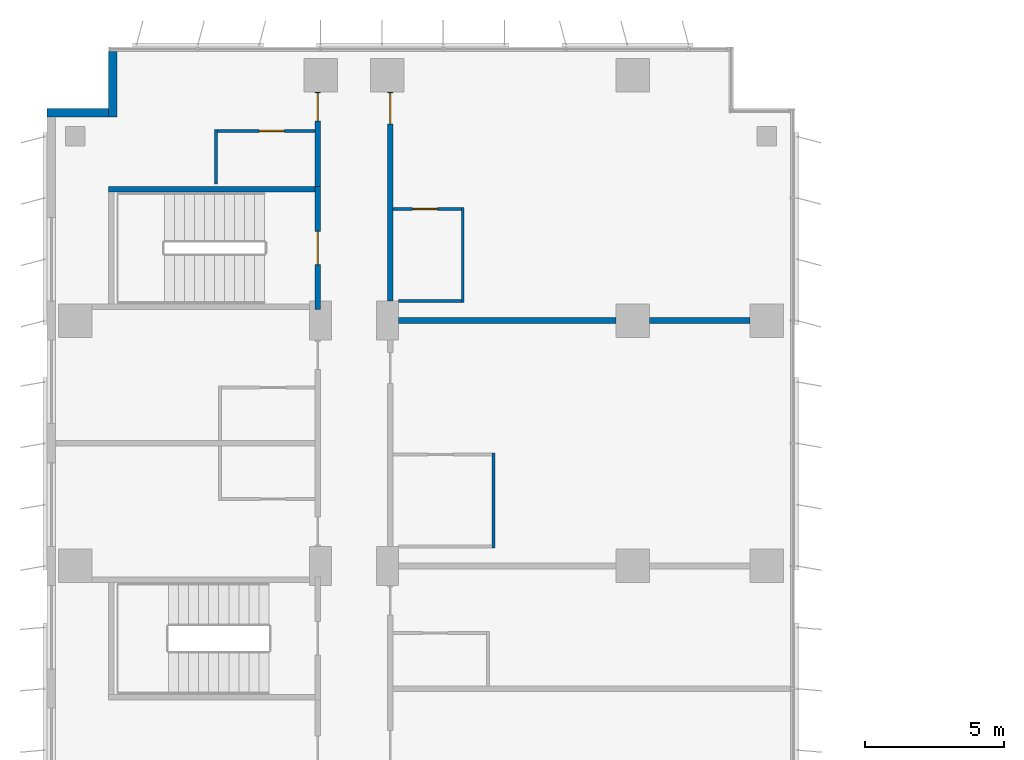
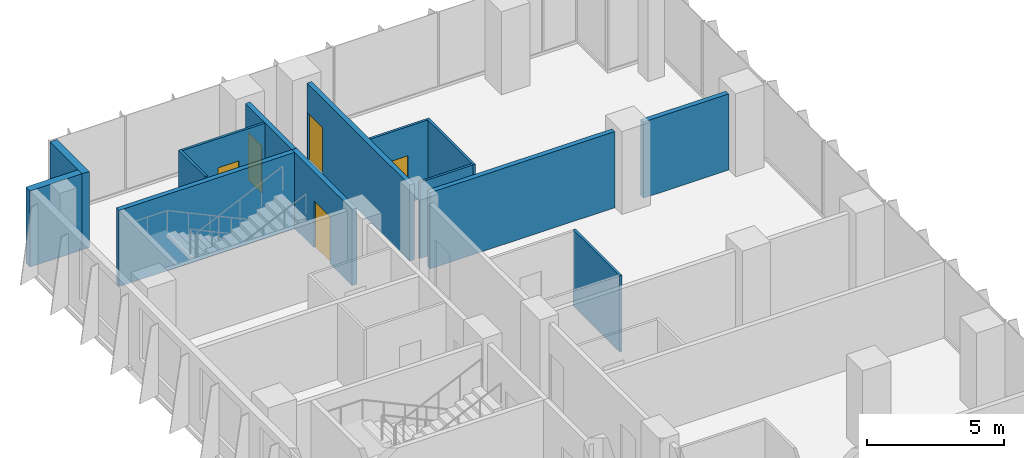
# One storey, part 17 of 22: 14 walls, 5 doors, 5 openings.
"""IFC4 building model written with IfcOpenShell, lengths in metres."""

from ifc_helpers import new_model, si_unit, direction, frame, frame_2d, origin, place, context, subcontext, project, spatial, rectangle, extrude, material, layer, layer_set, type_object, element, fill, save


model = new_model("IFC4")

# Units and contexts
model_context = context("Model", 3, precision=1e-05, world=origin(), true_north=direction((0.0, 1.0)))
body_context = subcontext(model_context, "Body", "Model", "MODEL_VIEW")
ifc_project = project(units=[si_unit("LENGTHUNIT", "METRE"), si_unit("AREAUNIT", "SQUARE_METRE"), si_unit("VOLUMEUNIT", "CUBIC_METRE"), si_unit("PLANEANGLEUNIT", "RADIAN"), si_unit("MASSUNIT", "GRAM", prefix="KILO")], contexts=[model_context])

# Site, building, storey
site_placement = place(None, origin())
site = spatial("IfcSite", under=ifc_project, at=site_placement, CompositionType="ELEMENT")
building_placement = place(site_placement, origin())
building = spatial("IfcBuilding", under=site, at=building_placement, Name="Kemantara Hotel Tower", CompositionType="ELEMENT")
storey_placement = place(building_placement, frame((0.0, 0.0, 111.10009765625)))
storey = spatial("IfcBuildingStorey", under=building, at=storey_placement, Name="L26", CompositionType="ELEMENT", Elevation=111.10009765625)

# Walls
ifc_material_1 = material(Name="Bronze anodised aluminium cladding on insulated steel stud wall", Category="steel")
ifc_layer_1 = layer(ifc_material_1, 0.300048828125)
ifc_layer_set_1 = layer_set([ifc_layer_1], Name="Bronze anodised aluminium cladding on insulated steel stud wall")
wall_type_1 = type_object("IfcWallType", Name="BRONZE METAL-CLAD EXTERNAL WALL 300", PredefinedType="STANDARD", material=ifc_layer_set_1)
wall_1_placement = place(storey_placement, frame((2.35009765625, 81.050048828125, 0.0), z_axis=(0.0, 0.0, 1.0), x_axis=(0.0, -1.0, 0.0)))
element("IfcWall", 1, at=wall_1_placement, inside=storey, type_object=wall_type_1, Name="EXTERNAL WALL L26 T2-R02", PredefinedType="STANDARD", context=body_context, shape_type="SweptSolid", body=[
    extrude(rectangle(XDim=2.35009765625, YDim=0.300048828125, at=frame_2d((1.175048828125, 0.0))), origin(), (0.0, 0.0, 1.0), 3.39990234375),
])
wall_2_placement = place(storey_placement, frame((2.199951171875, 78.85009765625, 0.0), z_axis=(0.0, 0.0, 1.0), x_axis=(-1.0, 0.0, 0.0)))
element("IfcWall", 2, at=wall_2_placement, inside=storey, type_object=wall_type_1, Name="EXTERNAL WALL L26 T2-R03", PredefinedType="STANDARD", context=body_context, shape_type="SweptSolid", body=[
    extrude(rectangle(XDim=2.199951171875, YDim=0.300048828125, at=frame_2d((1.10009765625, 0.0))), origin(), (0.0, 0.0, 1.0), 3.39990234375),
])

# Wall, opening, door
ifc_material_2 = material(Name="Gypsum board partition, steel studs and mineral wool, 200 mm", Category="steel")
ifc_layer_2 = layer(ifc_material_2, 0.199951171875)
ifc_layer_set_2 = layer_set([ifc_layer_2], Name="Gypsum board partition, steel studs and mineral wool, 200 mm")
wall_type_2 = type_object("IfcWallType", Name="CORRIDOR WALL 200", PredefinedType="PARTITIONING", material=ifc_layer_set_2)
wall_3_placement = place(storey_placement, frame((9.699951171875, 76.199951171875, 0.0), z_axis=(0.0, 0.0, 1.0), x_axis=(0.0, 1.0, 0.0)))
wall_3 = element("IfcWall", 3, at=wall_3_placement, inside=storey, type_object=wall_type_2, Name="CORRIDOR WALL 200 024", PredefinedType="PARTITIONING", context=body_context, shape_type="SweptSolid", body=[
    extrude(rectangle(XDim=3.39990234375, YDim=0.199951171875, at=frame_2d((1.699951171875, 0.0))), origin(), (0.0, 0.0, 1.0), 3.39990234375),
])
opening_1_placement = place(wall_3_placement, frame((2.35009765625, 0.0, 0.0)))
opening_1 = element("IfcOpeningElement", 4, at=opening_1_placement, cuts=wall_3, Name="Opening F11-035", PredefinedType="OPENING", context=body_context, shape_type="SweptSolid", body=[
    extrude(rectangle(XDim=1.0, YDim=2.10009765625, at=frame_2d((0.5, 1.050048828125))), frame((0.0, 0.10986328125, 0.0), z_axis=(0.0, -1.0, 0.0), x_axis=(1.0, 0.0, 0.0)), (0.0, 0.0, 1.0), 0.219970703125),
])
ifc_material_3 = material(Name="Hardwood veneer door leaf with steel frame", Category="steel")
door_type_1 = type_object("IfcDoorType", Name="GUEST ROOM DOOR 1000 X 2100 FD30S", OperationType="NOTDEFINED", PredefinedType="DOOR", material=ifc_material_3)
door_1_placement = place(opening_1_placement, origin())
door_1 = element("IfcDoor", 5, at=door_1_placement, inside=storey, type_object=door_type_1, Name="GUEST ROOM DOOR F11-035", OperationType="SINGLE_SWING_RIGHT", OverallHeight=2.10009765625, OverallWidth=1.0, PredefinedType="DOOR", context=body_context, shape_type="SweptSolid", body=[
    extrude(rectangle(XDim=1.0, YDim=2.10009765625, at=frame_2d((0.5, 1.050048828125))), frame((0.0, 0.02490234375, 0.0), z_axis=(0.0, -1.0, 0.0), x_axis=(1.0, 0.0, 0.0)), (0.0, 0.0, 1.0), 0.050048828125),
])
fill(opening_1, door_1)

wall_4_placement = place(storey_placement, frame((12.300048828125, 79.599853515625, 0.0), z_axis=(0.0, 0.0, 1.0), x_axis=(0.0, -1.0, 0.0)))
wall_4 = element("IfcWall", 6, at=wall_4_placement, inside=storey, type_object=wall_type_2, Name="CORRIDOR WALL 200 039", PredefinedType="PARTITIONING", context=body_context, shape_type="SweptSolid", body=[
    extrude(rectangle(XDim=7.499755859375, YDim=0.199951171875, at=frame_2d((3.75, 0.0))), origin(), (0.0, 0.0, 1.0), 3.39990234375),
])
opening_2_placement = place(wall_4_placement, frame((0.0498046875, 0.0, 0.0)))
opening_2 = element("IfcOpeningElement", 7, at=opening_2_placement, cuts=wall_4, Name="Opening F11-051", PredefinedType="OPENING", context=body_context, shape_type="SweptSolid", body=[
    extrude(rectangle(XDim=1.10009765625, YDim=2.10009765625, at=frame_2d((0.550048828125, 1.050048828125))), frame((0.0, 0.10986328125, 0.0), z_axis=(0.0, -1.0, 0.0), x_axis=(1.0, 0.0, 0.0)), (0.0, 0.0, 1.0), 0.219970703125),
])
door_type_2 = type_object("IfcDoorType", Name="SUITE ENTRANCE DOOR 1100 X 2100 FD30S", OperationType="NOTDEFINED", PredefinedType="DOOR", material=ifc_material_3)
door_2_placement = place(opening_2_placement, origin())
door_2 = element("IfcDoor", 8, at=door_2_placement, inside=storey, type_object=door_type_2, Name="SUITE ENTRANCE DOOR F11-051", OperationType="SINGLE_SWING_LEFT", OverallHeight=2.10009765625, OverallWidth=1.10009765625, PredefinedType="DOOR", context=body_context, shape_type="SweptSolid", body=[
    extrude(rectangle(XDim=1.10009765625, YDim=2.10009765625, at=frame_2d((0.550048828125, 1.050048828125))), frame((0.0, 0.02490234375, 0.0), z_axis=(0.0, -1.0, 0.0), x_axis=(1.0, 0.0, 0.0)), (0.0, 0.0, 1.0), 0.050048828125),
])
fill(opening_2, door_2)

ifc_material_4 = material(Name="Concrete fc 40 MPa", Category="concrete")
ifc_layer_3 = layer(ifc_material_4, 0.199951171875)
ifc_layer_set_3 = layer_set([ifc_layer_3], Name="Concrete fc 40 MPa")
wall_type_3 = type_object("IfcWallType", Name="Concrete stair wall 200 mm", PredefinedType="SHEAR", material=ifc_layer_set_3)
wall_5_placement = place(storey_placement, frame((9.699951171875, 71.800048828125, 0.0), z_axis=(0.0, 0.0, 1.0), x_axis=(0.0, 1.0, 0.0)))
wall_5 = element("IfcWall", 9, at=wall_5_placement, inside=storey, type_object=wall_type_3, Name="Stair ST6 enclosure wall with door", PredefinedType="SHEAR", context=body_context, shape_type="SweptSolid", body=[
    extrude(rectangle(XDim=4.39990234375, YDim=0.199951171875, at=frame_2d((2.199951171875, 0.0))), origin(), (0.0, 0.0, 1.0), 3.39990234375),
])
opening_3_placement = place(wall_5_placement, frame((1.60009765625, 0.0, 0.0)))
opening_3 = element("IfcOpeningElement", 10, at=opening_3_placement, cuts=wall_5, Name="Opening ST6-C", PredefinedType="OPENING", context=body_context, shape_type="SweptSolid", body=[
    extrude(rectangle(XDim=1.199951171875, YDim=2.10009765625, at=frame_2d((0.60009765625, 1.050048828125))), frame((0.0, 0.10986328125, 0.0), z_axis=(0.0, -1.0, 0.0), x_axis=(1.0, 0.0, 0.0)), (0.0, 0.0, 1.0), 0.219970703125),
])
ifc_material_5 = material(Name="Steel fire door", Category="steel")
door_type_3 = type_object("IfcDoorType", Name="Fire door FD90 1200 x 2100", OperationType="NOTDEFINED", PredefinedType="DOOR", material=ifc_material_5)
door_3_placement = place(opening_3_placement, origin())
door_3 = element("IfcDoor", 11, at=door_3_placement, inside=storey, type_object=door_type_3, Name="Stair ST6 door", OperationType="SINGLE_SWING_RIGHT", OverallHeight=2.10009765625, OverallWidth=1.199951171875, PredefinedType="DOOR", context=body_context, shape_type="SweptSolid", body=[
    extrude(rectangle(XDim=1.199951171875, YDim=2.10009765625, at=frame_2d((0.60009765625, 1.050048828125))), frame((0.0, 0.02490234375, 0.0), z_axis=(0.0, -1.0, 0.0), x_axis=(1.0, 0.0, 0.0)), (0.0, 0.0, 1.0), 0.050048828125),
])
fill(opening_3, door_3)

# Walls
wall_6_placement = place(storey_placement, frame((2.199951171875, 76.10009765625, 0.0), z_axis=(0.0, 0.0, 1.0), x_axis=(1.0, 0.0, 0.0)))
element("IfcWall", 12, at=wall_6_placement, inside=storey, type_object=wall_type_3, Name="Stair ST6 enclosure wall N", PredefinedType="SHEAR", context=body_context, shape_type="SweptSolid", body=[
    extrude(rectangle(XDim=7.400146484375, YDim=0.199951171875, at=frame_2d((3.7001953125, 0.0))), origin(), (0.0, 0.0, 1.0), 3.39990234375),
])
ifc_layer_4 = layer(ifc_material_2, 0.199951171875)
ifc_layer_set_4 = layer_set([ifc_layer_4], Name="Gypsum board partition, steel studs and mineral wool, 200 mm")
wall_type_4 = type_object("IfcWallType", Name="GUEST ROOM PARTY WALL 200", PredefinedType="PARTITIONING", material=ifc_layer_set_4)
wall_7_placement = place(storey_placement, frame((12.60009765625, 71.39990234375, 0.0), z_axis=(0.0, 0.0, 1.0), x_axis=(1.0, 0.0, 0.0)))
element("IfcWall", 13, at=wall_7_placement, inside=storey, type_object=wall_type_4, Name="GUEST ROOM PARTY WALL 200 048", PredefinedType="PARTITIONING", context=body_context, shape_type="SweptSolid", body=[
    extrude(rectangle(XDim=7.7998046875, YDim=0.199951171875, at=frame_2d((3.89990234375, 0.0))), origin(), (0.0, 0.0, 1.0), 3.39990234375),
])
wall_8_placement = place(storey_placement, frame((21.60009765625, 71.39990234375, 0.0), z_axis=(0.0, 0.0, 1.0), x_axis=(1.0, 0.0, 0.0)))
element("IfcWall", 14, at=wall_8_placement, inside=storey, type_object=wall_type_4, Name="GUEST ROOM PARTY WALL 200 049", PredefinedType="PARTITIONING", context=body_context, shape_type="SweptSolid", body=[
    extrude(rectangle(XDim=3.599853515625, YDim=0.199951171875, at=frame_2d((1.7998046875, 0.0))), origin(), (0.0, 0.0, 1.0), 3.39990234375),
])
ifc_material_6 = material(Name="Gypsum board partition on steel studs, 100 mm", Category="steel")
ifc_layer_5 = layer(ifc_material_6, 0.10009765625)
ifc_layer_set_5 = layer_set([ifc_layer_5], Name="Gypsum board partition on steel studs, 100 mm")
wall_type_5 = type_object("IfcWallType", Name="ROOM PARTITION 100", PredefinedType="PARTITIONING", material=ifc_layer_set_5)
wall_9_placement = place(storey_placement, frame((6.050048828125, 76.300048828125, 0.0), z_axis=(0.0, 0.0, 1.0), x_axis=(0.0, 1.0, 0.0)))
element("IfcWall", 15, at=wall_9_placement, inside=storey, type_object=wall_type_5, Name="ROOM PARTITION 100 067", PredefinedType="PARTITIONING", context=body_context, shape_type="SweptSolid", body=[
    extrude(rectangle(XDim=1.949951171875, YDim=0.10009765625, at=frame_2d((0.97509765625, 0.0))), origin(), (0.0, 0.0, 1.0), 3.39990234375),
])

# Wall, opening, door
wall_10_placement = place(storey_placement, frame((9.60009765625, 78.199951171875, 0.0), z_axis=(0.0, 0.0, 1.0), x_axis=(-1.0, 0.0, 0.0)))
wall_10 = element("IfcWall", 16, at=wall_10_placement, inside=storey, type_object=wall_type_5, Name="ROOM PARTITION 100 087", PredefinedType="PARTITIONING", context=body_context, shape_type="SweptSolid", body=[
    extrude(rectangle(XDim=3.5, YDim=0.10009765625, at=frame_2d((1.75, 0.0))), origin(), (0.0, 0.0, 1.0), 3.39990234375),
])
opening_4_placement = place(wall_10_placement, frame((1.10009765625, 0.0, 0.0)))
opening_4 = element("IfcOpeningElement", 17, at=opening_4_placement, cuts=wall_10, Name="Opening F11-036", PredefinedType="OPENING", context=body_context, shape_type="SweptSolid", body=[
    extrude(rectangle(XDim=0.89990234375, YDim=2.10009765625, at=frame_2d((0.449951171875, 1.050048828125))), frame((0.0, 0.06005859375, 0.0), z_axis=(0.0, -1.0, 0.0), x_axis=(1.0, 0.0, 0.0)), (0.0, 0.0, 1.0), 0.1201171875),
])
door_type_4 = type_object("IfcDoorType", Name="BATHROOM DOOR 900 X 2100", OperationType="NOTDEFINED", PredefinedType="DOOR", material=ifc_material_3)
door_4_placement = place(opening_4_placement, origin())
door_4 = element("IfcDoor", 18, at=door_4_placement, inside=storey, type_object=door_type_4, Name="BATHROOM DOOR F11-036", OperationType="SINGLE_SWING_LEFT", OverallHeight=2.10009765625, OverallWidth=0.89990234375, PredefinedType="DOOR", context=body_context, shape_type="SweptSolid", body=[
    extrude(rectangle(XDim=0.89990234375, YDim=2.10009765625, at=frame_2d((0.449951171875, 1.050048828125))), frame((0.0, 0.02490234375, 0.0), z_axis=(0.0, -1.0, 0.0), x_axis=(1.0, 0.0, 0.0)), (0.0, 0.0, 1.0), 0.050048828125),
])
fill(opening_4, door_4)

# Walls
for number, where, z_axis, x_axis, name in (
    (19, (16.0, 63.25, 0.0), (0.0, 0.0, 1.0), (0.0, 1.0, 0.0), "ROOM PARTITION 100 091"),
    (20, (14.89990234375, 72.050048828125, 0.0), (0.0, 0.0, 1.0), (0.0, 1.0, 0.0), "ROOM PARTITION 100 102"),
):
    element("IfcWall", number, at=place(storey_placement, frame(where, z_axis=z_axis, x_axis=x_axis)), inside=storey, type_object=wall_type_5, Name=name, PredefinedType="PARTITIONING", context=body_context, shape_type="SweptSolid", body=[
        extrude(rectangle(XDim=3.39990234375, YDim=0.10009765625, at=frame_2d((1.699951171875, 0.0))), origin(), (0.0, 0.0, 1.0), 3.39990234375),
    ])
wall_11_placement = place(storey_placement, frame((12.60009765625, 72.10009765625, 0.0), z_axis=(0.0, 0.0, 1.0), x_axis=(1.0, 0.0, 0.0)))
element("IfcWall", 21, at=wall_11_placement, inside=storey, type_object=wall_type_5, Name="ROOM PARTITION 100 103", PredefinedType="PARTITIONING", context=body_context, shape_type="SweptSolid", body=[
    extrude(rectangle(XDim=2.25, YDim=0.10009765625, at=frame_2d((1.125, 0.0))), origin(), (0.0, 0.0, 1.0), 3.39990234375),
])

# Wall, opening, door
wall_12_placement = place(storey_placement, frame((14.85009765625, 75.39990234375, 0.0), z_axis=(0.0, 0.0, 1.0), x_axis=(-1.0, 0.0, 0.0)))
wall_12 = element("IfcWall", 22, at=wall_12_placement, inside=storey, type_object=wall_type_5, Name="ROOM PARTITION 100 104", PredefinedType="PARTITIONING", context=body_context, shape_type="SweptSolid", body=[
    extrude(rectangle(XDim=2.4501953125, YDim=0.10009765625, at=frame_2d((1.22509765625, 0.0))), origin(), (0.0, 0.0, 1.0), 3.39990234375),
])
opening_5_placement = place(wall_12_placement, frame((0.85009765625, 0.0, 0.0)))
opening_5 = element("IfcOpeningElement", 23, at=opening_5_placement, cuts=wall_12, Name="Opening F11-052", PredefinedType="OPENING", context=body_context, shape_type="SweptSolid", body=[
    extrude(rectangle(XDim=0.89990234375, YDim=2.10009765625, at=frame_2d((0.449951171875, 1.050048828125))), frame((0.0, 0.06005859375, 0.0), z_axis=(0.0, -1.0, 0.0), x_axis=(1.0, 0.0, 0.0)), (0.0, 0.0, 1.0), 0.1201171875),
])
door_5_placement = place(opening_5_placement, origin())
door_5 = element("IfcDoor", 24, at=door_5_placement, inside=storey, type_object=door_type_4, Name="BATHROOM DOOR F11-052", OperationType="SINGLE_SWING_RIGHT", OverallHeight=2.10009765625, OverallWidth=0.89990234375, PredefinedType="DOOR", context=body_context, shape_type="SweptSolid", body=[
    extrude(rectangle(XDim=0.89990234375, YDim=2.10009765625, at=frame_2d((0.449951171875, 1.050048828125))), frame((0.0, 0.02490234375, 0.0), z_axis=(0.0, -1.0, 0.0), x_axis=(1.0, 0.0, 0.0)), (0.0, 0.0, 1.0), 0.050048828125),
])
fill(opening_5, door_5)

save(model, "model.ifc")
